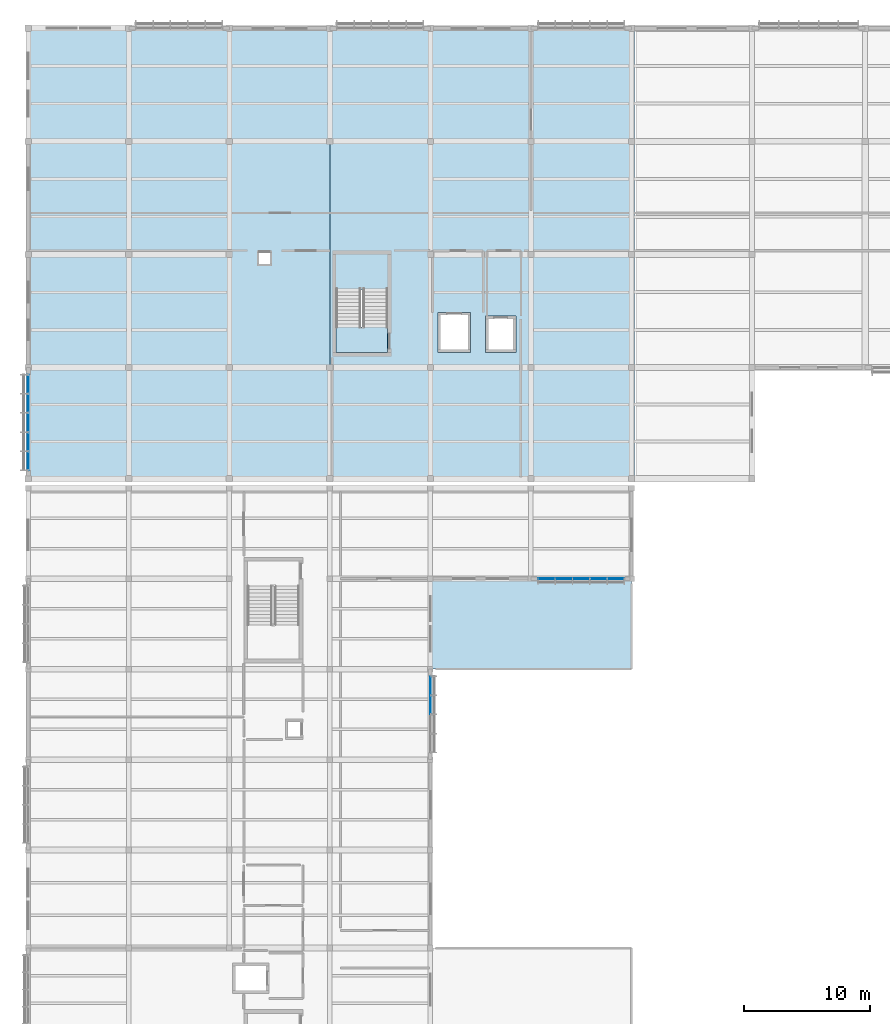
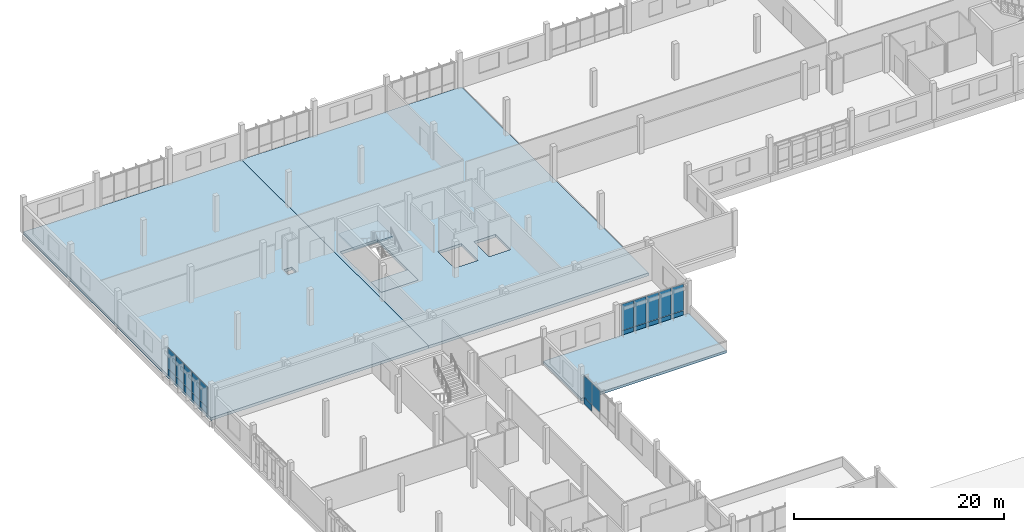
# One storey, part 150 of 182: 23 plates, 5 slabs, 4 elements without a shape of their own.
"""IFC4 building model written with IfcOpenShell, lengths in metres."""

from ifc_helpers import new_model, si_unit, direction, frame, origin, origin_2d, place, context, subcontext, project, spatial, polyline, rectangle, outline, extrude, material, layer, layer_set, type_object, element, aggregate, save


model = new_model("IFC4")

# Units and contexts
model_context = context("Model", 3, precision=1e-05, world=origin(), true_north=direction((0.0, 1.0)))
body_context = subcontext(model_context, "Body", "Model", "MODEL_VIEW")
ifc_project = project(units=[si_unit("LENGTHUNIT", "METRE"), si_unit("AREAUNIT", "SQUARE_METRE"), si_unit("VOLUMEUNIT", "CUBIC_METRE"), si_unit("PLANEANGLEUNIT", "RADIAN"), si_unit("MASSUNIT", "GRAM", prefix="KILO")], contexts=[model_context])

# Site, building, storey
site_placement = place(None, origin())
site = spatial("IfcSite", under=ifc_project, at=site_placement, CompositionType="ELEMENT")
building_placement = place(site_placement, origin())
building = spatial("IfcBuilding", under=site, at=building_placement, Name="Chiffa Square Polytechnic", CompositionType="ELEMENT")
storey_placement = place(building_placement, frame((0.0, 0.0, 9.60009765625)))
storey = spatial("IfcBuildingStorey", under=building, at=storey_placement, Name="L02", CompositionType="ELEMENT", Elevation=9.60009765625)

# Curtain wall, plates
ifc_material_1 = material(Name="Aluminium EN AW-6060 T66 and glulam shading", Category="wood")
curtain_wall_type_1 = type_object("IfcCurtainWallType", Name="CW-VERT-450X440", PredefinedType="USERDEFINED", material=ifc_material_1)
curtain_wall_1_placement = place(storey_placement, origin())
curtain_wall_1 = element("IfcCurtainWall", 1, at=curtain_wall_1_placement, inside=storey, type_object=curtain_wall_type_1, Name="Curtain wall CW-V6-L02-264", ObjectType="CURTAIN WALL", PredefinedType="USERDEFINED")
ifc_material_2 = material(Name="Double glazing", Category="glass")
ifc_layer_1 = layer(ifc_material_2, 0.035888671875, Name="Double glazing")
ifc_layer_set_1 = layer_set([ifc_layer_1], Name="Double glazing")
plate_type_1 = type_object("IfcPlateType", Name="CWP-GLZ-120X145", PredefinedType="CURTAIN_PANEL", material=ifc_layer_set_1)
plate_1_placement = place(storey_placement, frame((32.0, 76.965087890625, 0.84033203125), z_axis=(0.0, 0.0, 1.0), x_axis=(0.0, 1.0, 0.0)))
plate_1 = element("IfcPlate", 2, at=plate_1_placement, type_object=plate_type_1, Name="Glazed curtain panel CW-V6-L02-264-PN03", PredefinedType="CURTAIN_PANEL", context=body_context, shape_type="SweptSolid", body=[
    extrude(rectangle(XDim=1.47802734375, YDim=0.035888671875, at=origin_2d()), origin(), (0.0, 0.0, 1.0), 2.485107421875),
])
plate_2_placement = place(storey_placement, frame((32.0, 78.48388671875, 0.84033203125), z_axis=(0.0, 0.0, 1.0), x_axis=(0.0, 1.0, 0.0)))
plate_2 = element("IfcPlate", 3, at=plate_2_placement, type_object=plate_type_1, Name="Glazed curtain panel CW-V6-L02-264-PN04", PredefinedType="CURTAIN_PANEL", context=body_context, shape_type="SweptSolid", body=[
    extrude(rectangle(XDim=1.4560546875, YDim=0.035888671875, at=origin_2d()), origin(), (0.0, 0.0, 1.0), 2.485107421875),
])

curtain_wall_2_placement = place(storey_placement, origin())
curtain_wall_2 = element("IfcCurtainWall", 4, at=curtain_wall_2_placement, inside=storey, type_object=curtain_wall_type_1, Name="Curtain wall CW-V5-L02-224", ObjectType="CURTAIN WALL", PredefinedType="USERDEFINED")
ifc_layer_2 = layer(ifc_material_2, 0.0380859375, Name="Double glazing")
ifc_layer_set_2 = layer_set([ifc_layer_2], Name="Double glazing")
plate_type_2 = type_object("IfcPlateType", Name="CWP-GLZ-148X142", PredefinedType="CURTAIN_PANEL", material=ifc_layer_set_2)
plate_3_placement = place(storey_placement, frame((0.0, 102.48193359375, 0.84033203125), z_axis=(0.0, 0.0, 1.0), x_axis=(0.0, -1.0, 0.0)))
plate_3 = element("IfcPlate", 5, at=plate_3_placement, type_object=plate_type_2, Name="Glazed curtain panel CW-V5-L02-224-PN01", PredefinedType="CURTAIN_PANEL", context=body_context, shape_type="SweptSolid", body=[
    extrude(rectangle(XDim=1.4599609375, YDim=0.0380859375, at=origin_2d()), origin(), (0.0, 0.0, 1.0), 2.385009765625),
])
plate_4_placement = place(storey_placement, frame((0.0, 100.958984375, 0.84033203125), z_axis=(0.0, 0.0, 1.0), x_axis=(0.0, -1.0, 0.0)))
plate_4 = element("IfcPlate", 6, at=plate_4_placement, type_object=plate_type_2, Name="Glazed curtain panel CW-V5-L02-224-PN02", PredefinedType="CURTAIN_PANEL", context=body_context, shape_type="SweptSolid", body=[
    extrude(rectangle(XDim=1.48193359375, YDim=0.0380859375, at=origin_2d()), origin(), (0.0, 0.0, 1.0), 2.385009765625),
])
plate_5_placement = place(storey_placement, frame((0.0, 99.425048828125, 0.84033203125), z_axis=(0.0, 0.0, 1.0), x_axis=(0.0, -1.0, 0.0)))
plate_5 = element("IfcPlate", 7, at=plate_5_placement, type_object=plate_type_2, Name="Glazed curtain panel CW-V5-L02-224-PN03", PredefinedType="CURTAIN_PANEL", context=body_context, shape_type="SweptSolid", body=[
    extrude(rectangle(XDim=1.48193359375, YDim=0.0380859375, at=origin_2d()), origin(), (0.0, 0.0, 1.0), 2.385009765625),
])
plate_6_placement = place(storey_placement, frame((0.0, 97.89111328125, 0.84033203125), z_axis=(0.0, 0.0, 1.0), x_axis=(0.0, -1.0, 0.0)))
plate_6 = element("IfcPlate", 8, at=plate_6_placement, type_object=plate_type_2, Name="Glazed curtain panel CW-V5-L02-224-PN04", PredefinedType="CURTAIN_PANEL", context=body_context, shape_type="SweptSolid", body=[
    extrude(rectangle(XDim=1.48193359375, YDim=0.0380859375, at=origin_2d()), origin(), (0.0, 0.0, 1.0), 2.385009765625),
])
plate_7_placement = place(storey_placement, frame((0.0, 96.367919921875, 0.84033203125), z_axis=(0.0, 0.0, 1.0), x_axis=(0.0, -1.0, 0.0)))
plate_7 = element("IfcPlate", 9, at=plate_7_placement, type_object=plate_type_2, Name="Glazed curtain panel CW-V5-L02-224-PN05", PredefinedType="CURTAIN_PANEL", context=body_context, shape_type="SweptSolid", body=[
    extrude(rectangle(XDim=1.4599609375, YDim=0.0380859375, at=origin_2d()), origin(), (0.0, 0.0, 1.0), 2.385009765625),
])

curtain_wall_type_2 = type_object("IfcCurtainWallType", Name="CW-VERT-600X440", PredefinedType="USERDEFINED", material=ifc_material_1)
curtain_wall_3_placement = place(storey_placement, origin())
curtain_wall_3 = element("IfcCurtainWall", 10, at=curtain_wall_3_placement, inside=storey, type_object=curtain_wall_type_2, Name="Curtain wall CW-V6-L02-265", ObjectType="CURTAIN WALL", PredefinedType="USERDEFINED")
ifc_layer_3 = layer(ifc_material_2, 0.035888671875, Name="Double glazing")
ifc_layer_set_3 = layer_set([ifc_layer_3], Name="Double glazing")
plate_type_3 = type_object("IfcPlateType", Name="CWP-GLZ-180X140", PredefinedType="CURTAIN_PANEL", material=ifc_layer_set_3)
plate_8_placement = place(storey_placement, frame((41.242919921875, 87.0, 0.83984375), z_axis=(0.0, 0.0, 1.0), x_axis=(1.0, 0.0, 0.0)))
plate_8 = element("IfcPlate", 11, at=plate_8_placement, type_object=plate_type_3, Name="Glazed curtain panel CW-V6-L02-265-PN01", PredefinedType="CURTAIN_PANEL", context=body_context, shape_type="SweptSolid", body=[
    extrude(rectangle(XDim=1.31005859375, YDim=0.035888671875, at=origin_2d()), origin(), (0.0, 0.0, 1.0), 3.050048828125),
])
plate_9_placement = place(storey_placement, frame((42.615966796875, 87.0, 0.83984375), z_axis=(0.0, 0.0, 1.0), x_axis=(1.0, 0.0, 0.0)))
plate_9 = element("IfcPlate", 12, at=plate_9_placement, type_object=plate_type_3, Name="Glazed curtain panel CW-V6-L02-265-PN02", PredefinedType="CURTAIN_PANEL", context=body_context, shape_type="SweptSolid", body=[
    extrude(rectangle(XDim=1.33203125, YDim=0.035888671875, at=origin_2d()), origin(), (0.0, 0.0, 1.0), 3.050048828125),
])
plate_10_placement = place(storey_placement, frame((44.0, 87.0, 0.83984375), z_axis=(0.0, 0.0, 1.0), x_axis=(1.0, 0.0, 0.0)))
plate_10 = element("IfcPlate", 13, at=plate_10_placement, type_object=plate_type_3, Name="Glazed curtain panel CW-V6-L02-265-PN03", PredefinedType="CURTAIN_PANEL", context=body_context, shape_type="SweptSolid", body=[
    extrude(rectangle(XDim=1.33203125, YDim=0.035888671875, at=origin_2d()), origin(), (0.0, 0.0, 1.0), 3.050048828125),
])
plate_11_placement = place(storey_placement, frame((45.384033203125, 87.0, 0.83984375), z_axis=(0.0, 0.0, 1.0), x_axis=(1.0, 0.0, 0.0)))
plate_11 = element("IfcPlate", 14, at=plate_11_placement, type_object=plate_type_3, Name="Glazed curtain panel CW-V6-L02-265-PN04", PredefinedType="CURTAIN_PANEL", context=body_context, shape_type="SweptSolid", body=[
    extrude(rectangle(XDim=1.33203125, YDim=0.035888671875, at=origin_2d()), origin(), (0.0, 0.0, 1.0), 3.050048828125),
])
plate_12_placement = place(storey_placement, frame((46.757080078125, 87.0, 0.83984375), z_axis=(0.0, 0.0, 1.0), x_axis=(1.0, 0.0, 0.0)))
plate_12 = element("IfcPlate", 15, at=plate_12_placement, type_object=plate_type_3, Name="Glazed curtain panel CW-V6-L02-265-PN05", PredefinedType="CURTAIN_PANEL", context=body_context, shape_type="SweptSolid", body=[
    extrude(rectangle(XDim=1.31005859375, YDim=0.035888671875, at=origin_2d()), origin(), (0.0, 0.0, 1.0), 3.050048828125),
])
ifc_material_3 = material(Name="Aluminium insulated spandrel", Category="aluminium")
ifc_layer_4 = layer(ifc_material_3, 0.06396484375, Name="Aluminium insulated spandrel")
ifc_layer_set_4 = layer_set([ifc_layer_4], Name="Aluminium insulated spandrel")
plate_type_4 = type_object("IfcPlateType", Name="CWP-SPN-146X082", PredefinedType="SHEET", material=ifc_layer_set_4)
plate_13_placement = place(storey_placement, frame((41.242919921875, 87.0, 0.0498046875), z_axis=(0.0, 0.0, 1.0), x_axis=(1.0, 0.0, 0.0)))
plate_13 = element("IfcPlate", 16, at=plate_13_placement, type_object=plate_type_4, Name="Spandrel panel CW-V6-L02-265-SP01", PredefinedType="SHEET", context=body_context, shape_type="SweptSolid", body=[
    extrude(rectangle(XDim=1.31005859375, YDim=0.06396484375, at=origin_2d()), origin(), (0.0, 0.0, 1.0), 0.75),
])
plate_14_placement = place(storey_placement, frame((42.615966796875, 87.0, 0.0498046875), z_axis=(0.0, 0.0, 1.0), x_axis=(1.0, 0.0, 0.0)))
plate_14 = element("IfcPlate", 17, at=plate_14_placement, type_object=plate_type_4, Name="Spandrel panel CW-V6-L02-265-SP02", PredefinedType="SHEET", context=body_context, shape_type="SweptSolid", body=[
    extrude(rectangle(XDim=1.33203125, YDim=0.06396484375, at=origin_2d()), origin(), (0.0, 0.0, 1.0), 0.75),
])
plate_15_placement = place(storey_placement, frame((44.0, 87.0, 0.0498046875), z_axis=(0.0, 0.0, 1.0), x_axis=(1.0, 0.0, 0.0)))
plate_15 = element("IfcPlate", 18, at=plate_15_placement, type_object=plate_type_4, Name="Spandrel panel CW-V6-L02-265-SP03", PredefinedType="SHEET", context=body_context, shape_type="SweptSolid", body=[
    extrude(rectangle(XDim=1.33203125, YDim=0.06396484375, at=origin_2d()), origin(), (0.0, 0.0, 1.0), 0.75),
])
plate_16_placement = place(storey_placement, frame((45.384033203125, 87.0, 0.0498046875), z_axis=(0.0, 0.0, 1.0), x_axis=(1.0, 0.0, 0.0)))
plate_16 = element("IfcPlate", 19, at=plate_16_placement, type_object=plate_type_4, Name="Spandrel panel CW-V6-L02-265-SP04", PredefinedType="SHEET", context=body_context, shape_type="SweptSolid", body=[
    extrude(rectangle(XDim=1.33203125, YDim=0.06396484375, at=origin_2d()), origin(), (0.0, 0.0, 1.0), 0.75),
])
plate_17_placement = place(storey_placement, frame((46.757080078125, 87.0, 0.0498046875), z_axis=(0.0, 0.0, 1.0), x_axis=(1.0, 0.0, 0.0)))
plate_17 = element("IfcPlate", 20, at=plate_17_placement, type_object=plate_type_4, Name="Spandrel panel CW-V6-L02-265-SP05", PredefinedType="SHEET", context=body_context, shape_type="SweptSolid", body=[
    extrude(rectangle(XDim=1.31005859375, YDim=0.06396484375, at=origin_2d()), origin(), (0.0, 0.0, 1.0), 0.75),
])
aggregate(curtain_wall_3, [plate_13, plate_8, plate_14, plate_9, plate_15, plate_10, plate_16, plate_11, plate_17, plate_12])

# Plate
ifc_layer_5 = layer(ifc_material_3, 0.06201171875, Name="Aluminium insulated spandrel")
ifc_layer_set_5 = layer_set([ifc_layer_5], Name="Aluminium insulated spandrel")
plate_type_5 = type_object("IfcPlateType", Name="CWP-SPN-148X084", PredefinedType="SHEET", material=ifc_layer_set_5)
plate_18_placement = place(storey_placement, frame((0.0, 102.48193359375, 0.0498046875), z_axis=(0.0, 0.0, 1.0), x_axis=(0.0, -1.0, 0.0)))
plate_18 = element("IfcPlate", 21, at=plate_18_placement, type_object=plate_type_5, Name="Spandrel panel CW-V5-L02-224-SP01", PredefinedType="SHEET", context=body_context, shape_type="SweptSolid", body=[
    extrude(rectangle(XDim=1.4599609375, YDim=0.06201171875, at=origin_2d()), origin(), (0.0, 0.0, 1.0), 0.75),
])

plate_19_placement = place(storey_placement, frame((0.0, 100.958984375, 0.0498046875), z_axis=(0.0, 0.0, 1.0), x_axis=(0.0, -1.0, 0.0)))
plate_19 = element("IfcPlate", 22, at=plate_19_placement, type_object=plate_type_5, Name="Spandrel panel CW-V5-L02-224-SP02", PredefinedType="SHEET", context=body_context, shape_type="SweptSolid", body=[
    extrude(rectangle(XDim=1.48193359375, YDim=0.06201171875, at=origin_2d()), origin(), (0.0, 0.0, 1.0), 0.75),
])

plate_20_placement = place(storey_placement, frame((0.0, 99.425048828125, 0.0498046875), z_axis=(0.0, 0.0, 1.0), x_axis=(0.0, -1.0, 0.0)))
plate_20 = element("IfcPlate", 23, at=plate_20_placement, type_object=plate_type_5, Name="Spandrel panel CW-V5-L02-224-SP03", PredefinedType="SHEET", context=body_context, shape_type="SweptSolid", body=[
    extrude(rectangle(XDim=1.48193359375, YDim=0.06201171875, at=origin_2d()), origin(), (0.0, 0.0, 1.0), 0.75),
])

plate_21_placement = place(storey_placement, frame((0.0, 97.89111328125, 0.0498046875), z_axis=(0.0, 0.0, 1.0), x_axis=(0.0, -1.0, 0.0)))
plate_21 = element("IfcPlate", 24, at=plate_21_placement, type_object=plate_type_5, Name="Spandrel panel CW-V5-L02-224-SP04", PredefinedType="SHEET", context=body_context, shape_type="SweptSolid", body=[
    extrude(rectangle(XDim=1.48193359375, YDim=0.06201171875, at=origin_2d()), origin(), (0.0, 0.0, 1.0), 0.75),
])

plate_22_placement = place(storey_placement, frame((0.0, 96.367919921875, 0.0498046875), z_axis=(0.0, 0.0, 1.0), x_axis=(0.0, -1.0, 0.0)))
plate_22 = element("IfcPlate", 25, at=plate_22_placement, type_object=plate_type_5, Name="Spandrel panel CW-V5-L02-224-SP05", PredefinedType="SHEET", context=body_context, shape_type="SweptSolid", body=[
    extrude(rectangle(XDim=1.4599609375, YDim=0.06201171875, at=origin_2d()), origin(), (0.0, 0.0, 1.0), 0.75),
])

aggregate(curtain_wall_2, [plate_18, plate_3, plate_19, plate_4, plate_20, plate_5, plate_21, plate_6, plate_22, plate_7])

plate_23_placement = place(storey_placement, frame((32.0, 78.48388671875, 0.0498046875), z_axis=(0.0, 0.0, 1.0), x_axis=(0.0, 1.0, 0.0)))
plate_23 = element("IfcPlate", 26, at=plate_23_placement, type_object=plate_type_5, Name="Spandrel panel CW-V6-L02-264-SP04", PredefinedType="SHEET", context=body_context, shape_type="SweptSolid", body=[
    extrude(rectangle(XDim=1.4560546875, YDim=0.06201171875, at=origin_2d()), origin(), (0.0, 0.0, 1.0), 0.75),
])

aggregate(curtain_wall_1, [plate_1, plate_23, plate_2])

# Slabs
ifc_material_4 = material(Name="Concrete C40/50", Category="concrete")
ifc_layer_6 = layer(ifc_material_4, 0.320068359375, Name="Concrete C40/50")
ifc_layer_set_6 = layer_set([ifc_layer_6], Name="Concrete C40/50")
slab_type_1 = type_object("IfcSlabType", Name="SLB-FLR-320", PredefinedType="FLOOR", material=ifc_layer_set_6)
slab_1_placement = place(storey_placement, frame((0.0, 0.0, -0.320068359375)))
element("IfcSlab", 27, at=slab_1_placement, inside=storey, type_object=slab_type_1, Name="V5 L02 structural slab SLB-V5-L02-033", PredefinedType="FLOOR", context=body_context, shape_type="SweptSolid", body=[
    extrude(outline(polyline([(0.0, 95.050048828125), (0.0, 130.800048828125), (24.0, 130.800048828125), (24.0, 95.050048828125), (0.0, 95.050048828125)]), holes=[polyline([(18.35009765625, 112.89990234375), (19.25, 112.89990234375), (19.25, 112.050048828125), (18.35009765625, 112.050048828125), (18.35009765625, 112.89990234375)])]), origin(), (0.0, 0.0, 1.0), 0.320068359375),
])
slab_2_placement = place(storey_placement, frame((0.0, 0.0, -0.320068359375)))
element("IfcSlab", 28, at=slab_2_placement, inside=storey, type_object=slab_type_1, Name="V5 L02 structural slab SLB-V5-L02-034", PredefinedType="FLOOR", context=body_context, shape_type="SweptSolid", body=[
    extrude(outline(polyline([(24.0, 95.050048828125), (24.0, 130.800048828125), (48.25, 130.800048828125), (48.25, 95.050048828125), (24.0, 95.050048828125)]), holes=[polyline([(24.5, 105.0), (24.5, 112.800048828125), (28.60009765625, 112.800048828125), (28.60009765625, 105.0), (24.5, 105.0)]), polyline([(32.60009765625, 108.199951171875), (35.199951171875, 108.199951171875), (35.199951171875, 105.0), (32.60009765625, 105.0), (32.60009765625, 108.199951171875)]), polyline([(36.39990234375, 107.89990234375), (38.800048828125, 107.89990234375), (38.800048828125, 105.0), (36.39990234375, 105.0), (36.39990234375, 107.89990234375)])]), origin(), (0.0, 0.0, 1.0), 0.320068359375),
])
ifc_layer_7 = layer(ifc_material_4, 0.35009765625, Name="Concrete C40/50")
ifc_layer_set_7 = layer_set([ifc_layer_7], Name="Concrete C40/50")
slab_type_2 = type_object("IfcSlabType", Name="SLB-FLR-350", PredefinedType="FLOOR", material=ifc_layer_set_7)
slab_3_placement = place(storey_placement, frame((0.0, 0.0, -0.35009765625)))
element("IfcSlab", 29, at=slab_3_placement, inside=storey, type_object=slab_type_2, Name="Stair core floor landing slab SLB-CORE-CORE-V5A-L02", PredefinedType="FLOOR", context=body_context, shape_type="SweptSolid", body=[
    extrude(outline(polyline([(28.60009765625, 105.0), (28.60009765625, 107.011962890625), (24.5, 107.011962890625), (24.5, 105.0), (28.60009765625, 105.0)])), origin(), (0.0, 0.0, 1.0), 0.35009765625),
])

# Stair, slab
ifc_material_5 = material(Name="Concrete C35/45", Category="concrete")
stair_type = type_object("IfcStairType", Name="STAIR-DOG-1950", PredefinedType="HALF_TURN_STAIR", material=ifc_material_5)
stair_placement = place(storey_placement, origin())
stair = element("IfcStair", 30, at=stair_placement, inside=storey, type_object=stair_type, Name="L02 Enclosed exit stair ST-V5A", PredefinedType="HALF_TURN_STAIR")
ifc_layer_8 = layer(ifc_material_5, 0.199951171875, Name="Concrete C35/45")
ifc_layer_set_8 = layer_set([ifc_layer_8], Name="Concrete C35/45")
slab_type_3 = type_object("IfcSlabType", Name="SLB-LND-200", PredefinedType="LANDING", material=ifc_layer_set_8)
slab_4_placement = place(storey_placement, frame((0.0, 0.0, 1.89990234375)))
slab_4 = element("IfcSlab", 31, at=slab_4_placement, type_object=slab_type_3, Name="ST-V5A landing 1", PredefinedType="LANDING", context=body_context, shape_type="SweptSolid", body=[
    extrude(outline(polyline([(28.719970703125, 109.9599609375), (24.3798828125, 109.9599609375), (24.3798828125, 112.919921875), (28.719970703125, 112.919921875), (28.719970703125, 109.9599609375)])), origin(), (0.0, 0.0, 1.0), 0.199951171875),
])
aggregate(stair, [slab_4])

# Slab
ifc_layer_9 = layer(ifc_material_5, 0.300048828125, Name="Concrete C35/45")
ifc_layer_set_9 = layer_set([ifc_layer_9], Name="Concrete C35/45")
slab_type_4 = type_object("IfcSlabType", Name="SLB-ROOF-300", PredefinedType="ROOF", material=ifc_layer_set_9)
slab_5_placement = place(storey_placement, origin())
element("IfcSlab", 32, at=slab_5_placement, inside=storey, type_object=slab_type_4, Name="Studio courtyard step roof SLB-ROOF-V6-L02B", PredefinedType="ROOF", context=body_context, shape_type="SweptSolid", body=[
    extrude(outline(polyline([(32.0, 79.800048828125), (48.0, 79.800048828125), (48.0, 87.0), (32.0, 87.0), (32.0, 79.800048828125)])), origin(), (0.0, 0.0, 1.0), 0.2998046875),
])

save(model, "model.ifc")
